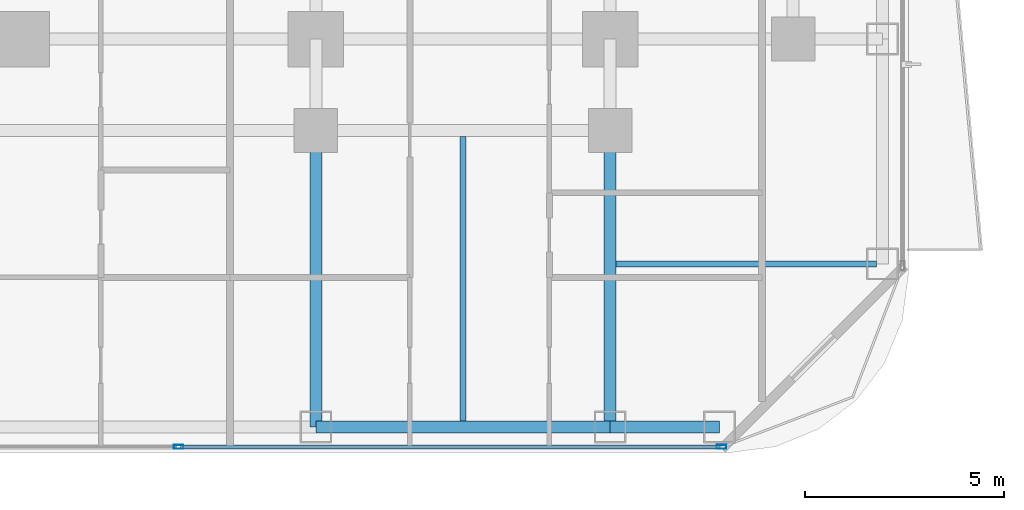
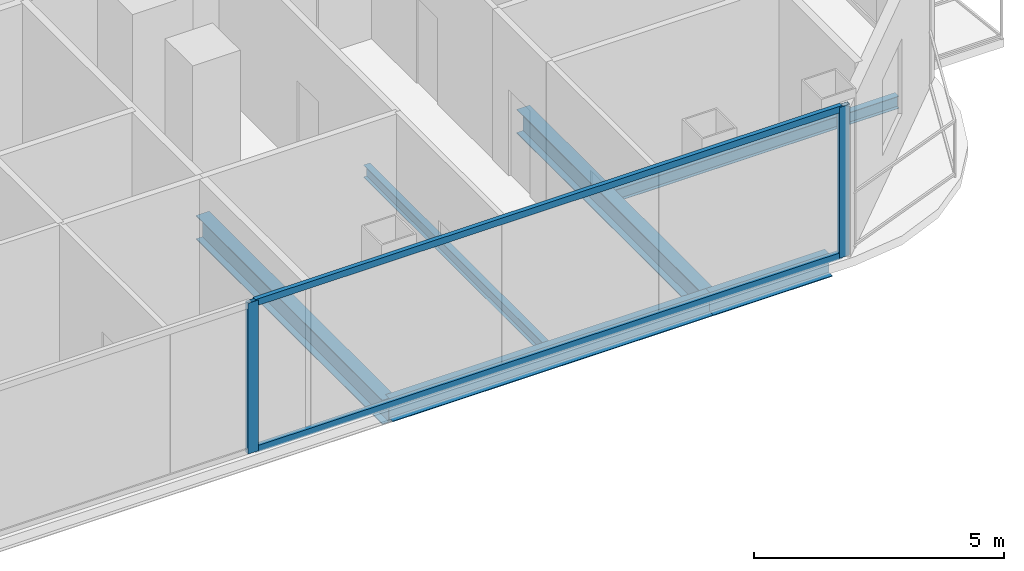
# One storey, part 8 of 30: 6 beams, 4 members, 1 element without a shape of its own.
"""IFC4 building model written with IfcOpenShell, lengths in metres."""

import ifcopenshell
import ifcopenshell.guid

model = None  # the IFC model being written
_history = None  # IfcOwnerHistory: only IFC2X3 demands one
_inside = {}  # id of a spatial element -> (the spatial element, [elements in it])
_under = {}  # id of a project, library or spatial element -> (it, [spatial elements below it])
_declared = {}  # id of a project -> (the project, [libraries it declares])
_typed = {}  # id of a type object -> (the type object, [elements of that type])
_made_of = {}  # id of a material, layer set ... -> (it, [elements and type objects made of it])


def new_model(schema):
    """Start an empty IFC model of exactly this schema.

    Asked for "IFC4X3", IfcOpenShell would pick the latest addendum, in which some entities
    have other attributes; the version numbers below select the first issue.
    IFC2X3 requires an IfcOwnerHistory on every rooted entity: one is made here for all.
    """
    global model, _history
    if schema == "IFC4X3":
        model = ifcopenshell.file(schema_version=(4, 3, 0, 0))
    else:
        model = ifcopenshell.file(schema=schema)
    _inside.clear()
    _under.clear()
    _declared.clear()
    _typed.clear()
    _made_of.clear()
    _history = None
    if model.schema == "IFC2X3":
        org = make("IfcOrganization", Name="unknown")
        user = make(
            "IfcPersonAndOrganization",
            ThePerson=make("IfcPerson", FamilyName="unknown"),
            TheOrganization=org,
        )
        app = make(
            "IfcApplication",
            ApplicationDeveloper=org,
            Version="unknown",
            ApplicationFullName="unknown",
            ApplicationIdentifier="unknown",
        )
        _history = make(
            "IfcOwnerHistory",
            OwningUser=user,
            OwningApplication=app,
            ChangeAction="ADDED",
            CreationDate=0,
        )
    return model


def make(cls, **values):
    """One entity of the class cls with the attributes given. An attribute that is None is left unset."""
    return model.create_entity(
        cls, **{name: value for name, value in values.items() if value is not None}
    )


def rooted(cls, **values):
    """An entity with a GlobalId (a new one), such as an element, a storey or a relation."""
    return make(cls, GlobalId=ifcopenshell.guid.new(), OwnerHistory=_history, **values)


def si_unit(unit_type, name, prefix=None):
    """IfcSIUnit, for example si_unit("LENGTHUNIT", "METRE", prefix="MILLI")."""
    return make("IfcSIUnit", UnitType=unit_type, Prefix=prefix, Name=name)


def assignment(units):
    """IfcUnitAssignment: the units of a project."""
    return None if units is None else make("IfcUnitAssignment", Units=units)


def point(xyz):
    """IfcCartesianPoint."""
    return None if xyz is None else make("IfcCartesianPoint", Coordinates=xyz)


def direction(xyz):
    """IfcDirection."""
    return None if xyz is None else make("IfcDirection", DirectionRatios=xyz)


def frame(location, z_axis=None, x_axis=None):
    """IfcAxis2Placement3D, a coordinate frame: its origin and axes. An axis left out is left unset."""
    return make(
        "IfcAxis2Placement3D",
        Location=point(location),
        Axis=direction(z_axis),
        RefDirection=direction(x_axis),
    )


def frame_2d(location, x_axis=None):
    """IfcAxis2Placement2D, a coordinate frame in the plane: its origin and x axis."""
    return make(
        "IfcAxis2Placement2D", Location=point(location), RefDirection=direction(x_axis)
    )


def origin():
    """The frame at (0, 0, 0) with its axes left unset."""
    return frame((0.0, 0.0, 0.0))


def origin_2d():
    """The frame at (0, 0) in the plane with its x axis left unset."""
    return frame_2d((0.0, 0.0))


def place(relative_to, where):
    """IfcLocalPlacement: puts the frame where relative to a parent placement (None: the world)."""
    return make(
        "IfcLocalPlacement", PlacementRelTo=relative_to, RelativePlacement=where
    )


def context(
    kind, dimensions, precision=None, world=None, true_north=None, identifier=None
):
    """IfcGeometricRepresentationContext, for example the 3D "Model" context."""
    return make(
        "IfcGeometricRepresentationContext",
        ContextIdentifier=identifier,
        ContextType=kind,
        CoordinateSpaceDimension=dimensions,
        Precision=precision,
        WorldCoordinateSystem=world,
        TrueNorth=true_north,
    )


def subcontext(parent, identifier, kind, view, scale=None):
    """IfcGeometricRepresentationSubContext, for example "Body" below "Model"."""
    return make(
        "IfcGeometricRepresentationSubContext",
        ContextIdentifier=identifier,
        ContextType=kind,
        ParentContext=parent,
        TargetScale=scale,
        TargetView=view,
    )


def project(units=None, contexts=None):
    """IfcProject with its units and contexts."""
    return rooted(
        "IfcProject",
        Name="project",
        RepresentationContexts=contexts,
        UnitsInContext=assignment(units),
    )


def spatial(cls, under=None, at=None, **own):
    """A site, building, storey or space (cls), placed at a placement, below another one or the project."""
    s = rooted(cls, ObjectPlacement=at, **own)
    if under is not None:
        _under.setdefault(under.id(), (under, []))[1].append(s)
    return s


def profile(cls, at=None, kind="AREA", **sizes):
    """A parametric profile (cls). Its sizes go by their IFC names, for example OverallWidth=200.0."""
    return make(cls, ProfileType=kind, Position=at, **sizes)


def hollow_rectangle(**sizes):
    """IfcRectangleHollowProfileDef."""
    return profile("IfcRectangleHollowProfileDef", **sizes)


def i_section(**sizes):
    """IfcIShapeProfileDef."""
    return profile("IfcIShapeProfileDef", **sizes)


def extrude(swept, where, along, depth):
    """IfcExtrudedAreaSolid: the profile swept, set in the frame where, extruded along a direction by depth."""
    return make(
        "IfcExtrudedAreaSolid",
        SweptArea=swept,
        Position=where,
        ExtrudedDirection=direction(along),
        Depth=depth,
    )


def shape(context_of_items, identifier, shape_type, items):
    """IfcShapeRepresentation: the items that make up one representation, for example the "Body"."""
    return make(
        "IfcShapeRepresentation",
        ContextOfItems=context_of_items,
        RepresentationIdentifier=identifier,
        RepresentationType=shape_type,
        Items=items,
    )


def material(Name=None, Category=None):
    """IfcMaterial."""
    return make("IfcMaterial", Name=Name, Category=Category)


def layer(
    of_material, thickness, ventilated=None, Name=None, Category=None, Priority=None
):
    """IfcMaterialLayer: one layer of a wall or slab, of a material (None: an air gap)."""
    return make(
        "IfcMaterialLayer",
        Material=of_material,
        LayerThickness=thickness,
        IsVentilated=ventilated,
        Name=Name,
        Category=Category,
        Priority=Priority,
    )


def layer_set(layers, Name=None):
    """IfcMaterialLayerSet."""
    return make("IfcMaterialLayerSet", MaterialLayers=layers, LayerSetName=Name)


def material_profile(
    of_material, cross_section, Name=None, Category=None, Priority=None
):
    """IfcMaterialProfile: a cross section and its material."""
    return make(
        "IfcMaterialProfile",
        Name=Name,
        Material=of_material,
        Profile=cross_section,
        Priority=Priority,
        Category=Category,
    )


def profile_set(profiles, Name=None, composite=None):
    """IfcMaterialProfileSet."""
    return make(
        "IfcMaterialProfileSet",
        Name=Name,
        MaterialProfiles=profiles,
        CompositeProfile=composite,
    )


def made_of(thing, what):
    """Note that an element or type object is made of a material, layer set ...; save() writes the relation."""
    if what is not None:
        _made_of.setdefault(what.id(), (what, []))[1].append(thing)
    return thing


def type_object(cls, material=None, **own):
    """A type object (cls), such as IfcWallType, which elements share."""
    return made_of(rooted(cls, **own), material)


def element(
    cls,
    number,
    at=None,
    inside=None,
    cuts=None,
    type_object=None,
    material=None,
    context=None,
    identifier="Body",
    shape_type=None,
    held_by="IfcProductDefinitionShape",
    body=None,
    shapes=None,
    **own,
):
    """One element of the class cls, such as IfcWall. Its Tag is "e" and its number.

    at: its placement. inside: the storey or other place that contains it. cuts: it is an
    opening in that element (IfcRelVoidsElement). A single representation is given by context,
    identifier, shape_type and body (its items); several are given by shapes. held_by: the class
    of the entity that holds the representations. save() writes the other relations.
    """
    e = rooted(cls, Tag="e%d" % number, ObjectPlacement=at, **own)
    if body is not None:
        shapes = [shape(context, identifier, shape_type, body)]
    if shapes is not None:
        e.Representation = make(held_by, Representations=shapes)
    if inside is not None:
        _inside.setdefault(inside.id(), (inside, []))[1].append(e)
    if cuts is not None:
        rooted(
            "IfcRelVoidsElement", RelatingBuildingElement=cuts, RelatedOpeningElement=e
        )
    if type_object is not None:
        _typed.setdefault(type_object.id(), (type_object, []))[1].append(e)
    return made_of(e, material)


def aggregate(whole, parts):
    """IfcRelAggregates: a whole, such as a stair, and the parts it consists of."""
    return rooted("IfcRelAggregates", RelatingObject=whole, RelatedObjects=parts)


def save(model, path):
    """Write the relations noted so far, then the file.

    IfcRelAggregates (storeys below a building ...), IfcRelContainedInSpatialStructure (elements
    in a storey), IfcRelDefinesByType, IfcRelAssociatesMaterial and IfcRelDeclares: one each for
    every whole, place, type object, material and project.
    """
    for whole, parts in _under.values():
        aggregate(whole, parts)
    for where, things in _inside.values():
        rooted(
            "IfcRelContainedInSpatialStructure",
            RelatedElements=things,
            RelatingStructure=where,
        )
    for kind, things in _typed.values():
        rooted("IfcRelDefinesByType", RelatedObjects=things, RelatingType=kind)
    for what, things in _made_of.values():
        rooted("IfcRelAssociatesMaterial", RelatedObjects=things, RelatingMaterial=what)
    for by, libraries in _declared.values():
        rooted("IfcRelDeclares", RelatingContext=by, RelatedDefinitions=libraries)
    model.write(path)


model = new_model("IFC4")

# Units and contexts
model_context = context("Model", 3, precision=1e-05, world=origin(), true_north=direction((0.0, 1.0)))
body_context = subcontext(model_context, "Body", "Model", "MODEL_VIEW")
ifc_project = project(units=[si_unit("LENGTHUNIT", "METRE"), si_unit("AREAUNIT", "SQUARE_METRE"), si_unit("VOLUMEUNIT", "CUBIC_METRE"), si_unit("PLANEANGLEUNIT", "RADIAN"), si_unit("MASSUNIT", "GRAM", prefix="KILO")], contexts=[model_context])

# Site, building, storey
site_placement = place(None, origin())
site = spatial("IfcSite", under=ifc_project, at=site_placement, CompositionType="ELEMENT")
building_placement = place(site_placement, origin())
building = spatial("IfcBuilding", under=site, at=building_placement, Name="Khorvyn Point Tower", CompositionType="ELEMENT")
storey_placement = place(building_placement, frame((0.0, 0.0, 57.89990234375)))
storey = spatial("IfcBuildingStorey", under=building, at=storey_placement, Name="L15", CompositionType="ELEMENT", Elevation=57.89990234375)

# Curtain wall, members
ifc_material_1 = material(Name="Anodised aluminium 6063-T6 and laminated Low-E glass", Category="aluminium")
ifc_layer = layer(ifc_material_1, 0.18994140625)
ifc_layer_set = layer_set([ifc_layer], Name="Stick-Built Finned Residential Curtain Wall CW-SYS-02")
curtain_wall_type = type_object("IfcCurtainWallType", Name="Stick-Built Finned Residential Curtain Wall CW-SYS-02", PredefinedType="NOTDEFINED", material=ifc_layer_set)
curtain_wall_placement = place(storey_placement, origin())
curtain_wall = element("IfcCurtainWall", 1, at=curtain_wall_placement, inside=storey, type_object=curtain_wall_type, Name="Curtain Wall", PredefinedType="NOTDEFINED")
ifc_material_2 = material(Name="Anodised aluminium 6063-T6", Category="aluminium")
ifc_material_profile_1 = material_profile(ifc_material_2, hollow_rectangle(XDim=0.10009765625, YDim=0.239990234375, WallThickness=0.0048828125, at=origin_2d()))
ifc_profile_set_1 = profile_set([ifc_material_profile_1], Name="Anodised aluminium 6063-T6 ALU-MUL-100x240")
member_type_1 = type_object("IfcMemberType", Name="Anodised Aluminium 6063-T6 Mullion ALU-MUL-100x240", PredefinedType="MULLION", material=ifc_profile_set_1)
member_1_placement = place(storey_placement, frame((17.60009765625, -25.050048828125, 0.0), z_axis=(0.0, 0.0, 1.0), x_axis=(0.0, -1.0, 0.0)))
member_1 = element("IfcMember", 2, at=member_1_placement, type_object=member_type_1, Name="Transom", PredefinedType="MULLION", context=body_context, shape_type="SweptSolid", body=[
    extrude(hollow_rectangle(XDim=0.10009765625, YDim=0.239990234375, WallThickness=0.0048828125, at=origin_2d()), origin(), (0.0, 0.0, 1.0), 3.68017578125),
])
member_2_placement = place(storey_placement, frame((3.949951171875, -25.050048828125, 0.0), z_axis=(0.0, 0.0, 1.0), x_axis=(0.0, -1.0, 0.0)))
member_2 = element("IfcMember", 3, at=member_2_placement, type_object=member_type_1, Name="Transom", PredefinedType="MULLION", context=body_context, shape_type="SweptSolid", body=[
    extrude(hollow_rectangle(XDim=0.10009765625, YDim=0.239990234375, WallThickness=0.0048828125, at=origin_2d()), origin(), (0.0, 0.0, 1.0), 3.68017578125),
])
ifc_material_profile_2 = material_profile(ifc_material_2, hollow_rectangle(XDim=0.10009765625, YDim=0.159912109375, WallThickness=0.00439453125, at=origin_2d()))
ifc_profile_set_2 = profile_set([ifc_material_profile_2], Name="Anodised aluminium 6063-T6 ALU-TRN-100x160")
member_type_2 = type_object("IfcMemberType", Name="Anodised Aluminium 6063-T6 Transom ALU-TRN-100x160", PredefinedType="USERDEFINED", material=ifc_profile_set_2)
member_3_placement = place(storey_placement, frame((17.550048828125, -25.050048828125, 0.050048828125), z_axis=(-1.0, 0.0, 0.0), x_axis=(0.0, -1.0, 0.0)))
member_3 = element("IfcMember", 4, at=member_3_placement, type_object=member_type_2, Name="Transom", ObjectType="TRANSOM", PredefinedType="USERDEFINED", context=body_context, shape_type="SweptSolid", body=[
    extrude(hollow_rectangle(XDim=0.10009765625, YDim=0.159912109375, WallThickness=0.00439453125, at=origin_2d()), origin(), (0.0, 0.0, 1.0), 13.550048828125),
])
member_4_placement = place(storey_placement, frame((17.550048828125, -25.050048828125, 3.630126953125), z_axis=(-1.0, 0.0, 0.0), x_axis=(0.0, -1.0, 0.0)))
member_4 = element("IfcMember", 5, at=member_4_placement, type_object=member_type_2, Name="Transom", ObjectType="TRANSOM", PredefinedType="USERDEFINED", context=body_context, shape_type="SweptSolid", body=[
    extrude(hollow_rectangle(XDim=0.10009765625, YDim=0.159912109375, WallThickness=0.00439453125, at=origin_2d()), origin(), (0.0, 0.0, 1.0), 13.550048828125),
])
aggregate(curtain_wall, [member_1, member_2, member_3, member_4])

# Beams
ifc_material_3 = material(Name="Steel S355", Category="steel")
ifc_material_profile_3 = material_profile(ifc_material_3, i_section(OverallWidth=0.300048828125, OverallDepth=0.587890625, WebThickness=0.011962890625, FlangeThickness=0.02001953125, at=origin_2d()))
ifc_profile_set_3 = profile_set([ifc_material_profile_3], Name="Steel S355 H588x300x12x20")
beam_type_1 = type_object("IfcBeamType", Name="Steel S355 Beam H588x300x12x20", PredefinedType="BEAM", material=ifc_profile_set_3)
for number, where, z_axis, x_axis, name in (
    (6, (14.800048828125, -24.550048828125, -0.513916015625), (0.0, 1.0, 0.0), (-1.0, 0.0, 0.0), "Beam"),
    (7, (7.39990234375, -24.550048828125, -0.513916015625), (0.0, 1.0, 0.0), (-1.0, 0.0, 0.0), "Beam"),
):
    element("IfcBeam", number, at=place(storey_placement, frame(where, z_axis=z_axis, x_axis=x_axis)), inside=storey, type_object=beam_type_1, Name=name, PredefinedType="BEAM", context=body_context, shape_type="SweptSolid", body=[
        extrude(i_section(OverallWidth=0.300048828125, OverallDepth=0.587890625, WebThickness=0.011962890625, FlangeThickness=0.02001953125, at=origin_2d()), origin(), (0.0, 0.0, 1.0), 7.449951171875),
    ])
ifc_material_profile_4 = material_profile(ifc_material_3, i_section(OverallWidth=0.14990234375, OverallDepth=0.300048828125, WebThickness=0.006591796875, FlangeThickness=0.009033203125, at=origin_2d()))
ifc_profile_set_4 = profile_set([ifc_material_profile_4], Name="Steel S355 H300x150x6.5x9")
beam_type_2 = type_object("IfcBeamType", Name="Steel S355 Joist H300x150x6.5x9", PredefinedType="JOIST", material=ifc_profile_set_4)
beam_1_placement = place(storey_placement, frame((11.10009765625, -24.39990234375, -0.369873046875), z_axis=(0.0, 1.0, 0.0), x_axis=(-1.0, 0.0, 0.0)))
element("IfcBeam", 8, at=beam_1_placement, inside=storey, type_object=beam_type_2, Name="Beam", PredefinedType="JOIST", context=body_context, shape_type="SweptSolid", body=[
    extrude(i_section(OverallWidth=0.14990234375, OverallDepth=0.300048828125, WebThickness=0.006591796875, FlangeThickness=0.009033203125, at=origin_2d()), origin(), (0.0, 0.0, 1.0), 7.14990234375),
])
beam_2_placement = place(storey_placement, frame((14.949951171875, -20.449951171875, -0.369873046875), z_axis=(1.0, 0.0, 0.0), x_axis=(0.0, 1.0, 0.0)))
element("IfcBeam", 9, at=beam_2_placement, inside=storey, type_object=beam_type_2, Name="Beam", PredefinedType="JOIST", context=body_context, shape_type="SweptSolid", body=[
    extrude(i_section(OverallWidth=0.14990234375, OverallDepth=0.300048828125, WebThickness=0.006591796875, FlangeThickness=0.009033203125, at=origin_2d()), origin(), (0.0, 0.0, 1.0), 6.550048828125),
])
ifc_material_profile_5 = material_profile(ifc_material_3, i_section(OverallWidth=0.300048828125, OverallDepth=0.488037109375, WebThickness=0.010986328125, FlangeThickness=0.01806640625, at=origin_2d()))
ifc_profile_set_5 = profile_set([ifc_material_profile_5], Name="Steel S355 H488x300x11x18")
beam_type_3 = type_object("IfcBeamType", Name="Steel S355 Spandrel H488x300x11x18", PredefinedType="SPANDREL", material=ifc_profile_set_5)
beam_3_placement = place(storey_placement, frame((7.39990234375, -24.550048828125, -0.4638671875), z_axis=(1.0, 0.0, 0.0), x_axis=(0.0, 1.0, 0.0)))
element("IfcBeam", 10, at=beam_3_placement, inside=storey, type_object=beam_type_3, Name="Beam", PredefinedType="SPANDREL", context=body_context, shape_type="SweptSolid", body=[
    extrude(i_section(OverallWidth=0.300048828125, OverallDepth=0.488037109375, WebThickness=0.010986328125, FlangeThickness=0.01806640625, at=origin_2d()), origin(), (0.0, 0.0, 1.0), 7.400146484375),
])
beam_4_placement = place(storey_placement, frame((14.800048828125, -24.550048828125, -0.4638671875), z_axis=(1.0, 0.0, 0.0), x_axis=(0.0, 1.0, 0.0)))
element("IfcBeam", 11, at=beam_4_placement, inside=storey, type_object=beam_type_3, Name="Beam", PredefinedType="SPANDREL", context=body_context, shape_type="SweptSolid", body=[
    extrude(i_section(OverallWidth=0.300048828125, OverallDepth=0.488037109375, WebThickness=0.010986328125, FlangeThickness=0.01806640625, at=origin_2d()), origin(), (0.0, 0.0, 1.0), 2.75),
])

save(model, "model.ifc")
